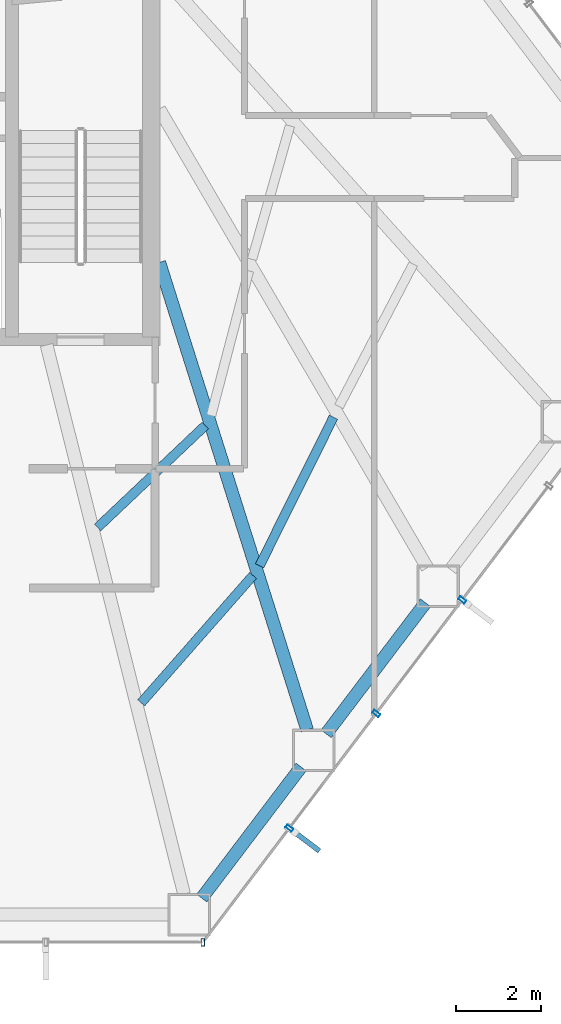
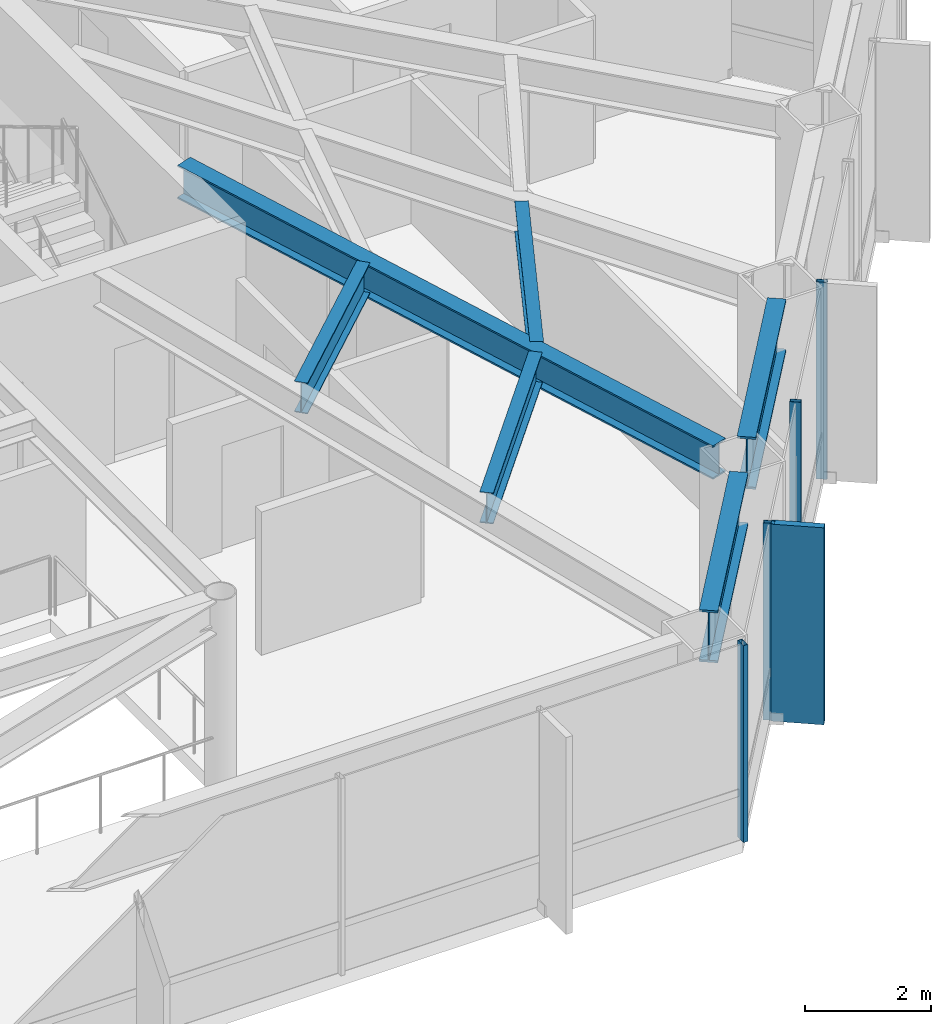
# One storey, part 16 of 25: 6 beams, 5 members, 2 elements without a shape of their own.
"""IFC4 building model written with IfcOpenShell, lengths in metres."""

from ifc_helpers import new_model, si_unit, direction, frame, origin, origin_2d, place, context, subcontext, project, spatial, rectangle, hollow_rectangle, i_section, extrude, material, layer, layer_set, material_profile, profile_set, type_object, element, aggregate, save


model = new_model("IFC4")

# Units and contexts
model_context = context("Model", 3, precision=1e-05, world=origin(), true_north=direction((0.0, 1.0)))
body_context = subcontext(model_context, "Body", "Model", "MODEL_VIEW")
ifc_project = project(units=[si_unit("LENGTHUNIT", "METRE"), si_unit("AREAUNIT", "SQUARE_METRE"), si_unit("VOLUMEUNIT", "CUBIC_METRE"), si_unit("PLANEANGLEUNIT", "RADIAN"), si_unit("MASSUNIT", "GRAM", prefix="KILO")], contexts=[model_context])

# Site, building, storey
site_placement = place(None, origin())
site = spatial("IfcSite", under=ifc_project, at=site_placement, CompositionType="ELEMENT")
building_placement = place(site_placement, origin())
building = spatial("IfcBuilding", under=site, at=building_placement, Name="Zarrinselat Tower", CompositionType="ELEMENT")
storey_placement = place(building_placement, frame((0.0, 0.0, 39.780029296875)))
storey = spatial("IfcBuildingStorey", under=building, at=storey_placement, Name="L09", CompositionType="ELEMENT", Elevation=39.780029296875)

# Beams
ifc_material_1 = material(Name="Steel S355J2", Category="steel")
ifc_material_profile_1 = material_profile(ifc_material_1, i_section(OverallWidth=0.300048828125, OverallDepth=0.64990234375, WebThickness=0.01611328125, FlangeThickness=0.031005859375, at=origin_2d()), Name="HEB 650")
ifc_profile_set_1 = profile_set([ifc_material_profile_1], Name="Steel S355J2")
beam_type_1 = type_object("IfcBeamType", Name="BM-HEB650", PredefinedType="BEAM", material=ifc_profile_set_1)
beam_1_placement = place(storey_placement, frame((48.449951171875, 35.0, 3.494873046875), z_axis=(0.301458810122, -0.953479200507, 0.0), x_axis=(0.953479200507, 0.301458810122, 0.0)))
element("IfcBeam", 1, at=beam_1_placement, inside=storey, type_object=beam_type_1, Name="L09 Radial Primary Girder RG12", PredefinedType="BEAM", context=body_context, shape_type="SweptSolid", body=[
    extrude(i_section(OverallWidth=0.300048828125, OverallDepth=0.64990234375, WebThickness=0.01611328125, FlangeThickness=0.031005859375, at=origin_2d()), origin(), (0.0, 0.0, 1.0), 11.525146484375),
])
ifc_material_2 = material(Name="Steel S460M", Category="steel")
ifc_material_profile_2 = material_profile(ifc_material_2, i_section(OverallWidth=0.302001953125, OverallDepth=1.008056640625, WebThickness=0.02099609375, FlangeThickness=0.0400390625, at=origin_2d()), Name="HEM 1000")
ifc_profile_set_2 = profile_set([ifc_material_profile_2], Name="Steel S460M")
beam_type_2 = type_object("IfcBeamType", Name="BM-HEM1000", PredefinedType="BEAM", material=ifc_profile_set_2)
beam_2_placement = place(storey_placement, frame((49.4462890625, 20.06201171875, 3.31591796875), z_axis=(0.603883222143, 0.797072803459, 0.0), x_axis=(-0.797072803459, 0.603883222143, 0.0)))
element("IfcBeam", 2, at=beam_2_placement, inside=storey, type_object=beam_type_2, Name="L09 Perimeter Spandrel Girder SP11", PredefinedType="BEAM", context=body_context, shape_type="SweptSolid", body=[
    extrude(i_section(OverallWidth=0.302001953125, OverallDepth=1.008056640625, WebThickness=0.02099609375, FlangeThickness=0.0400390625, at=origin_2d()), origin(), (0.0, 0.0, 1.0), 3.86572265625),
])
beam_3_placement = place(storey_placement, frame((52.3701171875, 23.92138671875, 3.31591796875), z_axis=(0.603852824523, 0.79709583258, 0.0), x_axis=(-0.79709583258, 0.603852824523, 0.0)))
element("IfcBeam", 3, at=beam_3_placement, inside=storey, type_object=beam_type_2, Name="L09 Perimeter Spandrel Girder SP12", PredefinedType="BEAM", context=body_context, shape_type="SweptSolid", body=[
    extrude(i_section(OverallWidth=0.302001953125, OverallDepth=1.008056640625, WebThickness=0.02099609375, FlangeThickness=0.0400390625, at=origin_2d()), origin(), (0.0, 0.0, 1.0), 3.865966796875),
])
ifc_material_3 = material(Name="Steel S355J2", Category="steel")
ifc_material_profile_3 = material_profile(ifc_material_3, i_section(OverallWidth=0.219970703125, OverallDepth=0.60009765625, WebThickness=0.011962890625, FlangeThickness=0.01904296875, at=origin_2d()), Name="IPE 600")
ifc_profile_set_3 = profile_set([ifc_material_profile_3], Name="Steel S355J2")
beam_type_3 = type_object("IfcBeamType", Name="BM-IPE600", PredefinedType="JOIST", material=ifc_profile_set_3)
beam_4_placement = place(storey_placement, frame((48.02392578125, 24.651123046875, 3.52001953125), z_axis=(0.659871278804, 0.751378663131, 0.0), x_axis=(-0.751378663131, 0.659871278804, 0.0)))
element("IfcBeam", 4, at=beam_4_placement, inside=storey, type_object=beam_type_3, Name="L09 Composite Floor Joist 3-1", PredefinedType="JOIST", context=body_context, shape_type="SweptSolid", body=[
    extrude(i_section(OverallWidth=0.219970703125, OverallDepth=0.60009765625, WebThickness=0.011962890625, FlangeThickness=0.01904296875, at=origin_2d()), origin(), (0.0, 0.0, 1.0), 3.980712890625),
])
beam_5_placement = place(storey_placement, frame((46.999755859375, 28.770263671875, 3.52001953125), z_axis=(0.725869844453, 0.687832079009, 0.0), x_axis=(-0.687832079009, 0.725869844453, 0.0)))
element("IfcBeam", 5, at=beam_5_placement, inside=storey, type_object=beam_type_3, Name="L09 Composite Floor Joist 3-2", PredefinedType="JOIST", context=body_context, shape_type="SweptSolid", body=[
    extrude(i_section(OverallWidth=0.219970703125, OverallDepth=0.60009765625, WebThickness=0.011962890625, FlangeThickness=0.01904296875, at=origin_2d()), origin(), (0.0, 0.0, 1.0), 3.485107421875),
])
beam_6_placement = place(storey_placement, frame((50.805419921875, 27.87255859375, 3.52001953125), z_axis=(0.445610008734, 0.895227189107, 0.0), x_axis=(-0.895227189107, 0.445610008734, 0.0)))
element("IfcBeam", 6, at=beam_6_placement, inside=storey, type_object=beam_type_3, Name="L09 Composite Floor Joist 4-1", PredefinedType="JOIST", context=body_context, shape_type="SweptSolid", body=[
    extrude(i_section(OverallWidth=0.219970703125, OverallDepth=0.60009765625, WebThickness=0.011962890625, FlangeThickness=0.01904296875, at=origin_2d()), origin(), (0.0, 0.0, 1.0), 3.899169921875),
])

# Curtain wall, member
ifc_material_4 = material(Name="Extruded Aluminium Alloy EN AW-6063 T6", Category="aluminium")
ifc_layer = layer(ifc_material_4, 0.18505859375)
ifc_layer_set = layer_set([ifc_layer], Name="Extruded Aluminium Alloy EN AW-6063 T6")
curtain_wall_type = type_object("IfcCurtainWallType", Name="CWS-OFF", PredefinedType="NOTDEFINED", material=ifc_layer_set)
curtain_wall_1_placement = place(storey_placement, origin())
curtain_wall_1 = element("IfcCurtainWall", 7, at=curtain_wall_1_placement, inside=storey, type_object=curtain_wall_type, Name="L09 Unitised Curtain Wall CW-L09-E04", PredefinedType="NOTDEFINED")
ifc_material_5 = material(Name="Extruded Aluminium Alloy EN AW-6063 T6", Category="aluminium")
ifc_material_profile_4 = material_profile(ifc_material_5, hollow_rectangle(XDim=0.080078125, YDim=0.179931640625, WallThickness=0.0048828125, at=origin_2d()), Name="RHS 180x80x5")
ifc_profile_set_4 = profile_set([ifc_material_profile_4], Name="Extruded Aluminium Alloy EN AW-6063 T6")
member_type_1 = type_object("IfcMemberType", Name="MEM-CW-MUL", PredefinedType="MULLION", material=ifc_profile_set_4)
member_1_placement = place(storey_placement, frame((49.474609375, 19.02294921875, 0.0), z_axis=(0.0, 0.0, 1.0), x_axis=(1.0, 0.0, 0.0)))
member_1 = element("IfcMember", 8, at=member_1_placement, type_object=member_type_1, Name="CW-L09-E04 Mullion 6", PredefinedType="MULLION", context=body_context, shape_type="SweptSolid", body=[
    extrude(hollow_rectangle(XDim=0.080078125, YDim=0.179931640625, WallThickness=0.0048828125, at=origin_2d()), origin(), (0.0, 0.0, 1.0), 3.820068359375),
])
aggregate(curtain_wall_1, [member_1])

# Curtain wall, members
curtain_wall_2_placement = place(storey_placement, origin())
curtain_wall_2 = element("IfcCurtainWall", 9, at=curtain_wall_2_placement, inside=storey, type_object=curtain_wall_type, Name="L09 Unitised Curtain Wall CW-L09-E05", PredefinedType="NOTDEFINED")
member_2_placement = place(storey_placement, frame((51.505859375, 21.7041015625, 0.0), z_axis=(0.0, 0.0, 1.0), x_axis=(0.603859118859, 0.797091064164, 0.0)))
member_2 = element("IfcMember", 10, at=member_2_placement, type_object=member_type_1, Name="CW-L09-E05 Mullion 1", PredefinedType="MULLION", context=body_context, shape_type="SweptSolid", body=[
    extrude(hollow_rectangle(XDim=0.080078125, YDim=0.179931640625, WallThickness=0.0048828125, at=origin_2d()), origin(), (0.0, 0.0, 1.0), 3.820068359375),
])
member_3_placement = place(storey_placement, frame((53.5478515625, 24.399658203125, 0.0), z_axis=(0.0, 0.0, 1.0), x_axis=(0.603859118859, 0.797091064164, 0.0)))
member_3 = element("IfcMember", 11, at=member_3_placement, type_object=member_type_1, Name="CW-L09-E05 Mullion 2", PredefinedType="MULLION", context=body_context, shape_type="SweptSolid", body=[
    extrude(hollow_rectangle(XDim=0.080078125, YDim=0.179931640625, WallThickness=0.0048828125, at=origin_2d()), origin(), (0.0, 0.0, 1.0), 3.820068359375),
])
member_4_placement = place(storey_placement, frame((55.568603515625, 27.06689453125, 0.0), z_axis=(0.0, 0.0, 1.0), x_axis=(0.603859118859, 0.797091064164, 0.0)))
member_4 = element("IfcMember", 12, at=member_4_placement, type_object=member_type_1, Name="CW-L09-E05 Mullion 3", PredefinedType="MULLION", context=body_context, shape_type="SweptSolid", body=[
    extrude(hollow_rectangle(XDim=0.080078125, YDim=0.179931640625, WallThickness=0.0048828125, at=origin_2d()), origin(), (0.0, 0.0, 1.0), 3.820068359375),
])
ifc_material_6 = material(Name="Honed Cream Travertine Stone", Category="masonry")
ifc_material_profile_5 = material_profile(ifc_material_6, rectangle(XDim=0.1201171875, YDim=0.85009765625, at=origin_2d()), Name="FIN 850x120")
ifc_profile_set_5 = profile_set([ifc_material_profile_5], Name="Honed Cream Travertine Stone")
member_type_2 = type_object("IfcMemberType", Name="MEM-STONE-FIN", PredefinedType="USERDEFINED", material=ifc_profile_set_5)
member_5_placement = place(storey_placement, frame((51.87255859375, 21.426513671875, 0.0), z_axis=(0.0, 0.0, 1.0), x_axis=(-0.603859118859, -0.797091064164, 0.0)))
member_5 = element("IfcMember", 13, at=member_5_placement, type_object=member_type_2, Name="L09 Stone Shading Fin CW-L09-E05-01", ObjectType="FIN", PredefinedType="USERDEFINED", context=body_context, shape_type="SweptSolid", body=[
    extrude(rectangle(XDim=0.1201171875, YDim=0.85009765625, at=origin_2d()), origin(), (0.0, 0.0, 1.0), 3.820068359375),
])
aggregate(curtain_wall_2, [member_2, member_5, member_3, member_4])

save(model, "model.ifc")
